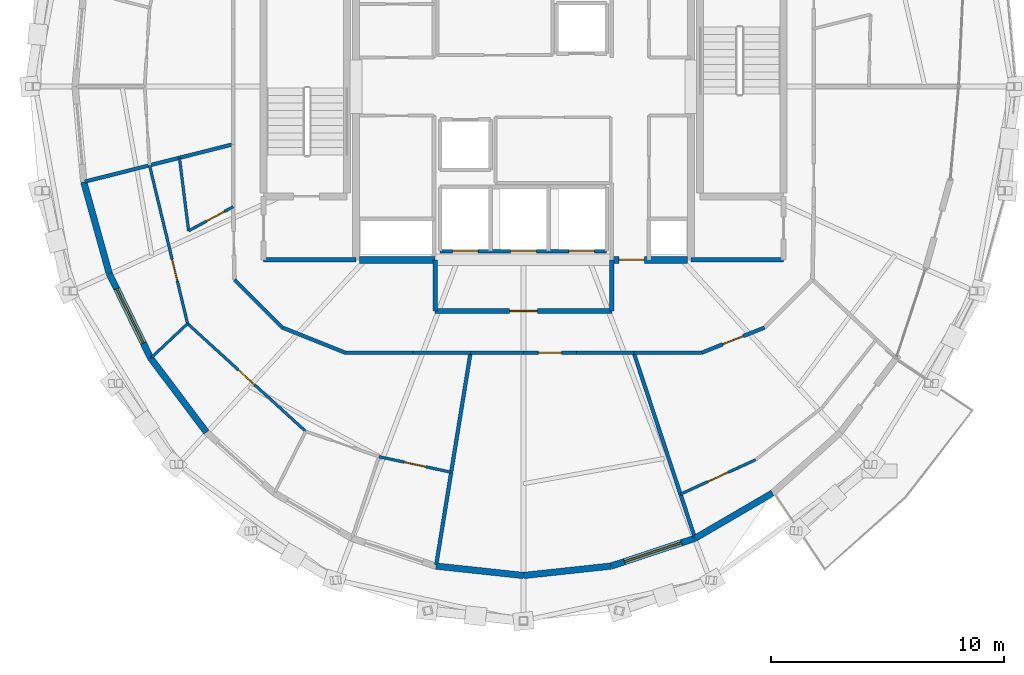
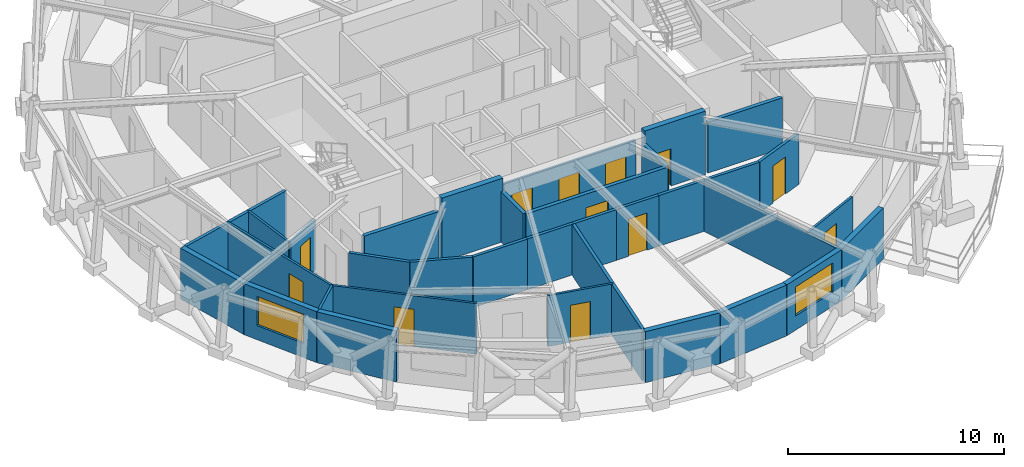
# One storey, part 7 of 12: 34 walls, 12 doors, 2 windows, 14 openings.
"""IFC4 building model written with IfcOpenShell, lengths in metres."""

from ifc_helpers import new_model, si_unit, direction, frame, frame_2d, origin, place, context, subcontext, project, spatial, rectangle, extrude, material, layer, layer_set, type_object, element, fill, save


model = new_model("IFC4")

# Units and contexts
model_context = context("Model", 3, precision=1e-05, world=origin(), true_north=direction((0.0, 1.0)))
body_context = subcontext(model_context, "Body", "Model", "MODEL_VIEW")
ifc_project = project(units=[si_unit("LENGTHUNIT", "METRE"), si_unit("AREAUNIT", "SQUARE_METRE"), si_unit("VOLUMEUNIT", "CUBIC_METRE"), si_unit("PLANEANGLEUNIT", "RADIAN"), si_unit("MASSUNIT", "GRAM", prefix="KILO")], contexts=[model_context])

# Site, building, storey
site_placement = place(None, origin())
site = spatial("IfcSite", under=ifc_project, at=site_placement, CompositionType="ELEMENT")
building_placement = place(site_placement, origin())
building = spatial("IfcBuilding", under=site, at=building_placement, Name="Veldorina Hangang Commons", CompositionType="ELEMENT")
storey_placement = place(building_placement, frame((0.0, 0.0, 272.39990234375)))
storey = spatial("IfcBuildingStorey", under=building, at=storey_placement, Name="L71", CompositionType="ELEMENT", Elevation=272.39990234375)

# Wall
ifc_material_1 = material(Name="Concrete C50/60", Category="concrete")
ifc_layer_1 = layer(ifc_material_1, 0.300048828125)
ifc_layer_set_1 = layer_set([ifc_layer_1], Name="Concrete C50/60")
wall_type_1 = type_object("IfcWallType", Name="CW-RC300-C50", PredefinedType="SHEAR", material=ifc_layer_set_1)
wall_1_placement = place(storey_placement, frame((24.949951171875, 16.550048828125, 0.0), z_axis=(0.0, 0.0, 1.0), x_axis=(1.0, 0.0, 0.0)))
element("IfcWall", 1, at=wall_1_placement, inside=storey, type_object=wall_type_1, Name="L71 south-west core shear wall", PredefinedType="SHEAR", context=body_context, shape_type="SweptSolid", body=[
    extrude(rectangle(XDim=3.25, YDim=0.300048828125, at=frame_2d((1.625, 0.0))), origin(), (0.0, 0.0, 1.0), 3.60009765625),
])

# Wall, opening, door
wall_2_placement = place(storey_placement, frame((35.800048828125, 16.550048828125, 0.0), z_axis=(0.0, 0.0, 1.0), x_axis=(1.0, 0.0, 0.0)))
wall_2 = element("IfcWall", 2, at=wall_2_placement, inside=storey, type_object=wall_type_1, Name="L71 south-east core shear wall", PredefinedType="SHEAR", context=body_context, shape_type="SweptSolid", body=[
    extrude(rectangle(XDim=3.25, YDim=0.300048828125, at=frame_2d((1.625, 0.0))), origin(), (0.0, 0.0, 1.0), 3.60009765625),
])
opening_1_placement = place(wall_2_placement, frame((0.300048828125, 0.0, 0.0)))
opening_1 = element("IfcOpeningElement", 3, at=opening_1_placement, cuts=wall_2, Name="Opening D-08", PredefinedType="OPENING", context=body_context, shape_type="SweptSolid", body=[
    extrude(rectangle(XDim=1.10009765625, YDim=2.10009765625, at=frame_2d((0.550048828125, 1.050048828125))), frame((0.0, 0.16015625, 0.0), z_axis=(0.0, -1.0, 0.0), x_axis=(1.0, 0.0, 0.0)), (0.0, 0.0, 1.0), 0.320068359375),
])
ifc_material_2 = material(Name="Steel Fire-Rated Smoke Seal", Category="steel")
door_type_1 = type_object("IfcDoorType", Name="DR-FIRE-1100", OperationType="SINGLE_SWING_RIGHT", PredefinedType="DOOR", material=ifc_material_2)
door_1_placement = place(opening_1_placement, origin())
door_1 = element("IfcDoor", 4, at=door_1_placement, inside=storey, type_object=door_type_1, Name="L71 central lift lobby south corridor door", OperationType="SINGLE_SWING_RIGHT", OverallHeight=2.10009765625, OverallWidth=1.10009765625, PredefinedType="DOOR", context=body_context, shape_type="SweptSolid", body=[
    extrude(rectangle(XDim=1.10009765625, YDim=2.10009765625, at=frame_2d((0.550048828125, 1.050048828125))), frame((0.0, 0.02490234375, 0.0), z_axis=(0.0, -1.0, 0.0), x_axis=(1.0, 0.0, 0.0)), (0.0, 0.0, 1.0), 0.050048828125),
])
fill(opening_1, door_1)

# Wall
ifc_material_3 = material(Name="Stone Roman Travertine", Category="masonry")
ifc_layer_2 = layer(ifc_material_3, 0.280029296875)
ifc_layer_set_2 = layer_set([ifc_layer_2], Name="Stone Roman Travertine")
wall_type_2 = type_object("IfcWallType", Name="EW-TRAV-280", PredefinedType="STANDARD", material=ifc_layer_set_2)
wall_3_placement = place(storey_placement, frame((13.093994140625, 19.898193359375, 0.0), z_axis=(0.0, 0.0, 1.0), x_axis=(0.26794835719, -0.963433276298, 0.0)))
element("IfcWall", 5, at=wall_3_placement, inside=storey, type_object=wall_type_2, Name="L71 travertine facade wall 17", PredefinedType="STANDARD", context=body_context, shape_type="SweptSolid", body=[
    extrude(rectangle(XDim=4.09375, YDim=0.280029296875, at=frame_2d((2.046875, 0.0))), origin(), (0.0, 0.0, 1.0), 2.880126953125),
])

# Wall, opening, window
wall_4_placement = place(storey_placement, frame((14.19091796875, 15.9541015625, 0.0), z_axis=(0.0, 0.0, 1.0), x_axis=(0.440082846758, -0.897957174919, 0.0)))
wall_4 = element("IfcWall", 6, at=wall_4_placement, inside=storey, type_object=wall_type_2, Name="L71 travertine facade wall 18", PredefinedType="STANDARD", context=body_context, shape_type="SweptSolid", body=[
    extrude(rectangle(XDim=4.048095703125, YDim=0.280029296875, at=frame_2d((2.02392578125, 0.0))), origin(), (0.0, 0.0, 1.0), 2.880126953125),
])
opening_2_placement = place(wall_4_placement, frame((0.72412109375, 0.0, 0.800048828125)))
opening_2 = element("IfcOpeningElement", 7, at=opening_2_placement, cuts=wall_4, Name="Opening W-02", PredefinedType="OPENING", context=body_context, shape_type="SweptSolid", body=[
    extrude(rectangle(XDim=2.60009765625, YDim=1.64990234375, at=frame_2d((1.300048828125, 0.824951171875))), frame((0.0, 0.14990234375, 0.0), z_axis=(0.0, -1.0, 0.0), x_axis=(1.0, 0.0, 0.0)), (0.0, 0.0, 1.0), 0.300048828125),
])
ifc_material_4 = material(Name="Glass Low-E Triple IGU", Category="glass")
window_type = type_object("IfcWindowType", Name="WIN-TWR-2600", PartitioningType="SINGLE_PANEL", PredefinedType="WINDOW", material=ifc_material_4)
window_1_placement = place(opening_2_placement, origin())
window_1 = element("IfcWindow", 8, at=window_1_placement, inside=storey, type_object=window_type, Name="L71 facade window 18", OverallHeight=1.64990234375, OverallWidth=2.60009765625, PartitioningType="SINGLE_PANEL", PredefinedType="WINDOW", context=body_context, shape_type="SweptSolid", body=[
    extrude(rectangle(XDim=2.60009765625, YDim=1.64990234375, at=frame_2d((1.300048828125, 0.824951171875))), frame((0.0, 0.030029296875, 0.0), z_axis=(0.0, -1.0, 0.0), x_axis=(1.0, 0.0, 0.0)), (0.0, 0.0, 1.0), 0.06005859375),
])
fill(opening_2, window_1)

# Walls
wall_5_placement = place(storey_placement, frame((15.972412109375, 12.319091796875, 0.0), z_axis=(0.0, 0.0, 1.0), x_axis=(0.601263134617, -0.799051089074, 0.0)))
element("IfcWall", 9, at=wall_5_placement, inside=storey, type_object=wall_type_2, Name="L71 travertine facade wall 19", PredefinedType="STANDARD", context=body_context, shape_type="SweptSolid", body=[
    extrude(rectangle(XDim=3.987060546875, YDim=0.280029296875, at=frame_2d((1.99365234375, 0.0))), origin(), (0.0, 0.0, 1.0), 2.880126953125),
])
for number, where, z_axis, x_axis, name in (
    (10, (28.239501953125, 3.379150390625, 0.0), (0.0, 0.0, 1.0), (0.994277118556, -0.106831697151, 0.0), "L71 travertine facade wall 23"),
    (11, (32.0, 2.97509765625, 0.0), (0.0, 0.0, 1.0), (0.994277118556, 0.106831697151, 0.0), "L71 travertine facade wall 24"),
):
    element("IfcWall", number, at=place(storey_placement, frame(where, z_axis=z_axis, x_axis=x_axis)), inside=storey, type_object=wall_type_2, Name=name, PredefinedType="STANDARD", context=body_context, shape_type="SweptSolid", body=[
        extrude(rectangle(XDim=3.7822265625, YDim=0.280029296875, at=frame_2d((1.89111328125, 0.0))), origin(), (0.0, 0.0, 1.0), 2.880126953125),
    ])

# Wall, opening, window
wall_6_placement = place(storey_placement, frame((35.760498046875, 3.379150390625, 0.0), z_axis=(0.0, 0.0, 1.0), x_axis=(0.949379621602, 0.314131077874, 0.0)))
wall_6 = element("IfcWall", 12, at=wall_6_placement, inside=storey, type_object=wall_type_2, Name="L71 travertine facade wall 25", PredefinedType="STANDARD", context=body_context, shape_type="SweptSolid", body=[
    extrude(rectangle(XDim=3.80908203125, YDim=0.280029296875, at=frame_2d((1.904541015625, 0.0))), origin(), (0.0, 0.0, 1.0), 2.880126953125),
])
opening_3_placement = place(wall_6_placement, frame((0.6044921875, 0.0, 0.800048828125)))
opening_3 = element("IfcOpeningElement", 13, at=opening_3_placement, cuts=wall_6, Name="Opening W-02", PredefinedType="OPENING", context=body_context, shape_type="SweptSolid", body=[
    extrude(rectangle(XDim=2.60009765625, YDim=1.64990234375, at=frame_2d((1.300048828125, 0.824951171875))), frame((0.0, 0.14990234375, 0.0), z_axis=(0.0, -1.0, 0.0), x_axis=(1.0, 0.0, 0.0)), (0.0, 0.0, 1.0), 0.300048828125),
])
window_2_placement = place(opening_3_placement, origin())
window_2 = element("IfcWindow", 14, at=window_2_placement, inside=storey, type_object=window_type, Name="L71 facade window 25", OverallHeight=1.64990234375, OverallWidth=2.60009765625, PartitioningType="SINGLE_PANEL", PredefinedType="WINDOW", context=body_context, shape_type="SweptSolid", body=[
    extrude(rectangle(XDim=2.60009765625, YDim=1.64990234375, at=frame_2d((1.300048828125, 0.824951171875))), frame((0.0, 0.030029296875, 0.0), z_axis=(0.0, -1.0, 0.0), x_axis=(1.0, 0.0, 0.0)), (0.0, 0.0, 1.0), 0.06005859375),
])
fill(opening_3, window_2)

# Wall
wall_7_placement = place(storey_placement, frame((39.376708984375, 4.57568359375, 0.0), z_axis=(0.0, 0.0, 1.0), x_axis=(0.863902830528, 0.503658514677, 0.0)))
element("IfcWall", 15, at=wall_7_placement, inside=storey, type_object=wall_type_2, Name="L71 travertine facade wall 26", PredefinedType="STANDARD", context=body_context, shape_type="SweptSolid", body=[
    extrude(rectangle(XDim=3.857421875, YDim=0.280029296875, at=frame_2d((1.9287109375, 0.0))), origin(), (0.0, 0.0, 1.0), 2.880126953125),
])

# Wall, openings, doors
ifc_material_5 = material(Name="Gypsum Fire-Rated Twin Stud Wall", Category="gypsum")
ifc_layer_3 = layer(ifc_material_5, 0.159912109375)
ifc_layer_set_3 = layer_set([ifc_layer_3], Name="Gypsum Fire-Rated Twin Stud Wall")
wall_type_3 = type_object("IfcWallType", Name="WL-FIRE-160", PredefinedType="SOLIDWALL", material=ifc_layer_set_3)
wall_8_placement = place(storey_placement, frame((28.419921875, 16.919921875, 0.0), z_axis=(0.0, 0.0, 1.0), x_axis=(1.0, 0.0, 0.0)))
wall_8 = element("IfcWall", 16, at=wall_8_placement, inside=storey, type_object=wall_type_3, Name="L71 Emergency front shaft wall 023", PredefinedType="SOLIDWALL", context=body_context, shape_type="SweptSolid", body=[
    extrude(rectangle(XDim=7.16015625, YDim=0.159912109375, at=frame_2d((3.580078125, 0.0))), origin(), (0.0, 0.0, 1.0), 2.8701171875),
])
opening_4_placement = place(wall_8_placement, frame((0.530029296875, 0.0, 0.0)))
opening_4 = element("IfcOpeningElement", 17, at=opening_4_placement, cuts=wall_8, Name="Opening LD-03", PredefinedType="OPENING", context=body_context, shape_type="SweptSolid", body=[
    extrude(rectangle(XDim=1.10009765625, YDim=2.14990234375, at=frame_2d((0.550048828125, 1.074951171875))), frame((0.0, 0.08984375, 0.0), z_axis=(0.0, -1.0, 0.0), x_axis=(1.0, 0.0, 0.0)), (0.0, 0.0, 1.0), 0.179931640625),
])
opening_5_placement = place(wall_8_placement, frame((3.030029296875, 0.0, 0.0)))
opening_5 = element("IfcOpeningElement", 18, at=opening_5_placement, cuts=wall_8, Name="Opening LD-03", PredefinedType="OPENING", context=body_context, shape_type="SweptSolid", body=[
    extrude(rectangle(XDim=1.10009765625, YDim=2.14990234375, at=frame_2d((0.550048828125, 1.074951171875))), frame((0.0, 0.08984375, 0.0), z_axis=(0.0, -1.0, 0.0), x_axis=(1.0, 0.0, 0.0)), (0.0, 0.0, 1.0), 0.179931640625),
])
opening_6_placement = place(wall_8_placement, frame((5.530029296875, 0.0, 0.0)))
opening_6 = element("IfcOpeningElement", 19, at=opening_6_placement, cuts=wall_8, Name="Opening LD-03", PredefinedType="OPENING", context=body_context, shape_type="SweptSolid", body=[
    extrude(rectangle(XDim=1.10009765625, YDim=2.14990234375, at=frame_2d((0.550048828125, 1.074951171875))), frame((0.0, 0.08984375, 0.0), z_axis=(0.0, -1.0, 0.0), x_axis=(1.0, 0.0, 0.0)), (0.0, 0.0, 1.0), 0.179931640625),
])
ifc_material_6 = material(Name="Stainless Steel Firefighting Lift Door", Category="steel")
door_type_2 = type_object("IfcDoorType", Name="DR-LIFT-FF1100", OperationType="SLIDING_TO_RIGHT", PredefinedType="DOOR", material=ifc_material_6)
door_2_placement = place(opening_4_placement, origin())
door_2 = element("IfcDoor", 20, at=door_2_placement, inside=storey, type_object=door_type_2, Name="L71 Emergency lift FFL-1 landing door 008", OperationType="SLIDING_TO_RIGHT", OverallHeight=2.14990234375, OverallWidth=1.10009765625, PredefinedType="DOOR", context=body_context, shape_type="SweptSolid", body=[
    extrude(rectangle(XDim=1.10009765625, YDim=2.14990234375, at=frame_2d((0.550048828125, 1.074951171875))), frame((0.0, 0.02490234375, 0.0), z_axis=(0.0, -1.0, 0.0), x_axis=(1.0, 0.0, 0.0)), (0.0, 0.0, 1.0), 0.050048828125),
])
fill(opening_4, door_2)
door_3_placement = place(opening_5_placement, origin())
door_3 = element("IfcDoor", 21, at=door_3_placement, inside=storey, type_object=door_type_2, Name="L71 Emergency lift FFL-2 landing door 009", OperationType="SLIDING_TO_RIGHT", OverallHeight=2.14990234375, OverallWidth=1.10009765625, PredefinedType="DOOR", context=body_context, shape_type="SweptSolid", body=[
    extrude(rectangle(XDim=1.10009765625, YDim=2.14990234375, at=frame_2d((0.550048828125, 1.074951171875))), frame((0.0, 0.02490234375, 0.0), z_axis=(0.0, -1.0, 0.0), x_axis=(1.0, 0.0, 0.0)), (0.0, 0.0, 1.0), 0.050048828125),
])
fill(opening_5, door_3)
door_4_placement = place(opening_6_placement, origin())
door_4 = element("IfcDoor", 22, at=door_4_placement, inside=storey, type_object=door_type_2, Name="L71 Emergency lift EVL-1 landing door 010", OperationType="SLIDING_TO_RIGHT", OverallHeight=2.14990234375, OverallWidth=1.10009765625, PredefinedType="DOOR", context=body_context, shape_type="SweptSolid", body=[
    extrude(rectangle(XDim=1.10009765625, YDim=2.14990234375, at=frame_2d((0.550048828125, 1.074951171875))), frame((0.0, 0.02490234375, 0.0), z_axis=(0.0, -1.0, 0.0), x_axis=(1.0, 0.0, 0.0)), (0.0, 0.0, 1.0), 0.050048828125),
])
fill(opening_6, door_4)

# Walls
wall_9_placement = place(storey_placement, frame((19.5732421875, 15.69677734375, 0.0), z_axis=(0.0, 0.0, 1.0), x_axis=(0.707106781187, -0.707106781187, 0.0)))
element("IfcWall", 23, at=wall_9_placement, inside=storey, type_object=wall_type_3, Name="L71 Compact collar outer wall 19 071", PredefinedType="SOLIDWALL", context=body_context, shape_type="SweptSolid", body=[
    extrude(rectangle(XDim=2.915771484375, YDim=0.159912109375, at=frame_2d((1.4580078125, 0.0))), origin(), (0.0, 0.0, 1.0), 2.8701171875),
])
wall_10_placement = place(storey_placement, frame((21.635009765625, 13.635009765625, 0.0), z_axis=(0.0, 0.0, 1.0), x_axis=(0.92856882165, -0.371160266542, 0.0)))
element("IfcWall", 24, at=wall_10_placement, inside=storey, type_object=wall_type_3, Name="L71 Compact collar outer wall 20 072", PredefinedType="SOLIDWALL", context=body_context, shape_type="SweptSolid", body=[
    extrude(rectangle(XDim=2.923095703125, YDim=0.159912109375, at=frame_2d((1.46142578125, 0.0))), origin(), (0.0, 0.0, 1.0), 2.8701171875),
])
wall_11_placement = place(storey_placement, frame((24.349365234375, 12.550048828125, 0.0), z_axis=(0.0, 0.0, 1.0), x_axis=(1.0, 0.0, 0.0)))
element("IfcWall", 25, at=wall_11_placement, inside=storey, type_object=wall_type_3, Name="L71 Compact collar outer wall 21 073", PredefinedType="SOLIDWALL", context=body_context, shape_type="SweptSolid", body=[
    extrude(rectangle(XDim=2.907958984375, YDim=0.159912109375, at=frame_2d((1.4541015625, 0.0))), origin(), (0.0, 0.0, 1.0), 2.8701171875),
])
wall_12_placement = place(storey_placement, frame((27.25732421875, 12.550048828125, 0.0), z_axis=(0.0, 0.0, 1.0), x_axis=(1.0, 0.0, 0.0)))
element("IfcWall", 26, at=wall_12_placement, inside=storey, type_object=wall_type_3, Name="L71 Compact collar outer wall 22 074", PredefinedType="SOLIDWALL", context=body_context, shape_type="SweptSolid", body=[
    extrude(rectangle(XDim=2.465087890625, YDim=0.159912109375, at=frame_2d((1.232421875, 0.0))), origin(), (0.0, 0.0, 1.0), 2.8701171875),
])
wall_13_placement = place(storey_placement, frame((29.722412109375, 12.550048828125, 0.0), z_axis=(0.0, 0.0, 1.0), x_axis=(1.0, 0.0, 0.0)))
element("IfcWall", 27, at=wall_13_placement, inside=storey, type_object=wall_type_3, Name="L71 Compact collar outer wall 23 075", PredefinedType="SOLIDWALL", context=body_context, shape_type="SweptSolid", body=[
    extrude(rectangle(XDim=2.277587890625, YDim=0.159912109375, at=frame_2d((1.138671875, 0.0))), origin(), (0.0, 0.0, 1.0), 2.8701171875),
])

# Wall, opening, door
wall_14_placement = place(storey_placement, frame((32.0, 12.550048828125, 0.0), z_axis=(0.0, 0.0, 1.0), x_axis=(1.0, 0.0, 0.0)))
wall_14 = element("IfcWall", 28, at=wall_14_placement, inside=storey, type_object=wall_type_3, Name="L71 Compact collar outer wall 24 076", PredefinedType="SOLIDWALL", context=body_context, shape_type="SweptSolid", body=[
    extrude(rectangle(XDim=2.277587890625, YDim=0.159912109375, at=frame_2d((1.138671875, 0.0))), origin(), (0.0, 0.0, 1.0), 2.8701171875),
])
opening_7_placement = place(wall_14_placement, frame((0.638671875, 0.0, 0.0)))
opening_7 = element("IfcOpeningElement", 29, at=opening_7_placement, cuts=wall_14, Name="Opening D-05", PredefinedType="OPENING", context=body_context, shape_type="SweptSolid", body=[
    extrude(rectangle(XDim=1.0, YDim=2.10009765625, at=frame_2d((0.5, 1.050048828125))), frame((0.0, 0.08984375, 0.0), z_axis=(0.0, -1.0, 0.0), x_axis=(1.0, 0.0, 0.0)), (0.0, 0.0, 1.0), 0.179931640625),
])
ifc_material_7 = material(Name="Timber Solid Core Acoustic", Category="wood")
door_type_3 = type_object("IfcDoorType", Name="DR-INT-1000", OperationType="SINGLE_SWING_RIGHT", PredefinedType="DOOR", material=ifc_material_7)
door_5_placement = place(opening_7_placement, origin())
door_5 = element("IfcDoor", 30, at=door_5_placement, inside=storey, type_object=door_type_3, Name="L71 Floor Study Room 7 door 043", OperationType="SINGLE_SWING_LEFT", OverallHeight=2.10009765625, OverallWidth=1.0, PredefinedType="DOOR", context=body_context, shape_type="SweptSolid", body=[
    extrude(rectangle(XDim=1.0, YDim=2.10009765625, at=frame_2d((0.5, 1.050048828125))), frame((0.0, 0.02490234375, 0.0), z_axis=(0.0, -1.0, 0.0), x_axis=(1.0, 0.0, 0.0)), (0.0, 0.0, 1.0), 0.050048828125),
])
fill(opening_7, door_5)

# Walls
wall_15_placement = place(storey_placement, frame((34.277587890625, 12.550048828125, 0.0), z_axis=(0.0, 0.0, 1.0), x_axis=(1.0, 0.0, 0.0)))
element("IfcWall", 31, at=wall_15_placement, inside=storey, type_object=wall_type_3, Name="L71 Compact collar outer wall 25 077", PredefinedType="SOLIDWALL", context=body_context, shape_type="SweptSolid", body=[
    extrude(rectangle(XDim=2.465087890625, YDim=0.159912109375, at=frame_2d((1.232421875, 0.0))), origin(), (0.0, 0.0, 1.0), 2.8701171875),
])
wall_16_placement = place(storey_placement, frame((36.74267578125, 12.550048828125, 0.0), z_axis=(0.0, 0.0, 1.0), x_axis=(1.0, 0.0, 0.0)))
element("IfcWall", 32, at=wall_16_placement, inside=storey, type_object=wall_type_3, Name="L71 Compact collar outer wall 26 078", PredefinedType="SOLIDWALL", context=body_context, shape_type="SweptSolid", body=[
    extrude(rectangle(XDim=2.907958984375, YDim=0.159912109375, at=frame_2d((1.4541015625, 0.0))), origin(), (0.0, 0.0, 1.0), 2.8701171875),
])

# Wall, opening, door
wall_17_placement = place(storey_placement, frame((39.650634765625, 12.550048828125, 0.0), z_axis=(0.0, 0.0, 1.0), x_axis=(0.92856882165, 0.371160266542, 0.0)))
wall_17 = element("IfcWall", 33, at=wall_17_placement, inside=storey, type_object=wall_type_3, Name="L71 Compact collar outer wall 27 079", PredefinedType="SOLIDWALL", context=body_context, shape_type="SweptSolid", body=[
    extrude(rectangle(XDim=2.923095703125, YDim=0.159912109375, at=frame_2d((1.46142578125, 0.0))), origin(), (0.0, 0.0, 1.0), 2.8701171875),
])
opening_8_placement = place(wall_17_placement, frame((0.986572265625, 0.0, 0.0)))
opening_8 = element("IfcOpeningElement", 34, at=opening_8_placement, cuts=wall_17, Name="Opening D-02", PredefinedType="OPENING", context=body_context, shape_type="SweptSolid", body=[
    extrude(rectangle(XDim=0.949951171875, YDim=2.10009765625, at=frame_2d((0.47509765625, 1.050048828125))), frame((0.0, 0.08984375, 0.0), z_axis=(0.0, -1.0, 0.0), x_axis=(1.0, 0.0, 0.0)), (0.0, 0.0, 1.0), 0.179931640625),
])
door_type_4 = type_object("IfcDoorType", Name="DR-INT-950", OperationType="SINGLE_SWING_LEFT", PredefinedType="DOOR", material=ifc_material_7)
door_6_placement = place(opening_8_placement, origin())
door_6 = element("IfcDoor", 35, at=door_6_placement, inside=storey, type_object=door_type_4, Name="L71 Linen drying store door 044", OperationType="SINGLE_SWING_RIGHT", OverallHeight=2.10009765625, OverallWidth=0.949951171875, PredefinedType="DOOR", context=body_context, shape_type="SweptSolid", body=[
    extrude(rectangle(XDim=0.949951171875, YDim=2.10009765625, at=frame_2d((0.47509765625, 1.050048828125))), frame((0.0, 0.02490234375, 0.0), z_axis=(0.0, -1.0, 0.0), x_axis=(1.0, 0.0, 0.0)), (0.0, 0.0, 1.0), 0.050048828125),
])
fill(opening_8, door_6)

# Walls
wall_18_placement = place(storey_placement, frame((19.52001953125, 21.517578125, 0.0), z_axis=(0.0, 0.0, 1.0), x_axis=(-0.969682209124, -0.244369419748, 0.0)))
element("IfcWall", 36, at=wall_18_placement, inside=storey, type_object=wall_type_3, Name="L71 Unit party wall 17 111", PredefinedType="SOLIDWALL", context=body_context, shape_type="SweptSolid", body=[
    extrude(rectangle(XDim=6.576904296875, YDim=0.159912109375, at=frame_2d((3.28857421875, 0.0))), origin(), (0.0, 0.0, 1.0), 2.8701171875),
])
wall_19_placement = place(storey_placement, frame((29.722412109375, 12.550048828125, 0.0), z_axis=(0.0, 0.0, 1.0), x_axis=(-0.159645297991, -0.987174441945, 0.0)))
element("IfcWall", 37, at=wall_19_placement, inside=storey, type_object=wall_type_3, Name="L71 Unit party wall 23 121", PredefinedType="SOLIDWALL", context=body_context, shape_type="SweptSolid", body=[
    extrude(rectangle(XDim=9.23974609375, YDim=0.159912109375, at=frame_2d((4.619873046875, 0.0))), origin(), (0.0, 0.0, 1.0), 2.8701171875),
])
wall_20_placement = place(storey_placement, frame((36.74267578125, 12.550048828125, 0.0), z_axis=(0.0, 0.0, 1.0), x_axis=(0.313647232527, -0.949539579759, 0.0)))
element("IfcWall", 38, at=wall_20_placement, inside=storey, type_object=wall_type_3, Name="L71 Unit party wall 26 122", PredefinedType="SOLIDWALL", context=body_context, shape_type="SweptSolid", body=[
    extrude(rectangle(XDim=8.34814453125, YDim=0.159912109375, at=frame_2d((4.174072265625, 0.0))), origin(), (0.0, 0.0, 1.0), 2.8701171875),
])
ifc_material_8 = material(Name="Concrete Blockwork Fire Wall C30/37", Category="masonry")
ifc_layer_4 = layer(ifc_material_8, 0.199951171875)
ifc_layer_set_4 = layer_set([ifc_layer_4], Name="Concrete Blockwork Fire Wall C30/37")
wall_type_4 = type_object("IfcWallType", Name="WL-FIRE-200", PredefinedType="SOLIDWALL", material=ifc_layer_set_4)
for number, where, z_axis, x_axis, name in (
    (39, (20.820068359375, 16.550048828125, 0.0), (0.0, 0.0, 1.0), (1.0, 0.0, 0.0), "L71 West vestibule south wall 002"),
    (40, (39.199951171875, 16.550048828125, 0.0), (0.0, 0.0, 1.0), (1.0, 0.0, 0.0), "L71 SE core room south wall 008"),
):
    element("IfcWall", number, at=place(storey_placement, frame(where, z_axis=z_axis, x_axis=x_axis)), inside=storey, type_object=wall_type_4, Name=name, PredefinedType="SOLIDWALL", context=body_context, shape_type="SweptSolid", body=[
        extrude(rectangle(XDim=3.97998046875, YDim=0.199951171875, at=frame_2d((1.989990234375, 0.0))), origin(), (0.0, 0.0, 1.0), 2.8701171875),
    ])
for number, where, z_axis, x_axis, name in (
    (41, (28.199951171875, 14.35009765625, 0.0), (0.0, 0.0, 1.0), (0.0, 1.0, 0.0), "L71 FF lobby west wall 012"),
    (42, (35.800048828125, 14.35009765625, 0.0), (0.0, 0.0, 1.0), (0.0, 1.0, 0.0), "L71 FF lobby east wall 013"),
):
    element("IfcWall", number, at=place(storey_placement, frame(where, z_axis=z_axis, x_axis=x_axis)), inside=storey, type_object=wall_type_4, Name=name, PredefinedType="SOLIDWALL", context=body_context, shape_type="SweptSolid", body=[
        extrude(rectangle(XDim=2.199951171875, YDim=0.199951171875, at=frame_2d((1.10009765625, 0.0))), origin(), (0.0, 0.0, 1.0), 2.8701171875),
    ])

# Wall, opening, door
wall_21_placement = place(storey_placement, frame((28.199951171875, 14.35009765625, 0.0), z_axis=(0.0, 0.0, 1.0), x_axis=(1.0, 0.0, 0.0)))
wall_21 = element("IfcWall", 43, at=wall_21_placement, inside=storey, type_object=wall_type_4, Name="L71 FF lobby south wall 014", PredefinedType="SOLIDWALL", context=body_context, shape_type="SweptSolid", body=[
    extrude(rectangle(XDim=7.60009765625, YDim=0.199951171875, at=frame_2d((3.800048828125, 0.0))), origin(), (0.0, 0.0, 1.0), 2.8701171875),
])
opening_9_placement = place(wall_21_placement, frame((3.199951171875, 0.0, 0.0)))
opening_9 = element("IfcOpeningElement", 44, at=opening_9_placement, cuts=wall_21, Name="Opening D-09", PredefinedType="OPENING", context=body_context, shape_type="SweptSolid", body=[
    extrude(rectangle(XDim=1.199951171875, YDim=2.10009765625, at=frame_2d((0.60009765625, 1.050048828125))), frame((0.0, 0.10986328125, 0.0), z_axis=(0.0, -1.0, 0.0), x_axis=(1.0, 0.0, 0.0)), (0.0, 0.0, 1.0), 0.219970703125),
])
ifc_material_9 = material(Name="Steel Fire-Rated Corridor Door", Category="steel")
door_type_5 = type_object("IfcDoorType", Name="DR-FIRE-1200", OperationType="SINGLE_SWING_LEFT", PredefinedType="DOOR", material=ifc_material_9)
door_7_placement = place(opening_9_placement, origin())
door_7 = element("IfcDoor", 45, at=door_7_placement, inside=storey, type_object=door_type_5, Name="L71 FF lobby south corridor door 005", OperationType="SINGLE_SWING_LEFT", OverallHeight=2.10009765625, OverallWidth=1.199951171875, PredefinedType="DOOR", context=body_context, shape_type="SweptSolid", body=[
    extrude(rectangle(XDim=1.199951171875, YDim=2.10009765625, at=frame_2d((0.60009765625, 1.050048828125))), frame((0.0, 0.02490234375, 0.0), z_axis=(0.0, -1.0, 0.0), x_axis=(1.0, 0.0, 0.0)), (0.0, 0.0, 1.0), 0.050048828125),
])
fill(opening_9, door_7)

# Wall
ifc_material_10 = material(Name="Gypsum Acoustic Stud Partition", Category="gypsum")
ifc_layer_5 = layer(ifc_material_10, 0.1201171875)
ifc_layer_set_5 = layer_set([ifc_layer_5], Name="Gypsum Acoustic Stud Partition")
wall_type_5 = type_object("IfcWallType", Name="WL-PART-120", PredefinedType="PARTITIONING", material=ifc_layer_set_5)
wall_22_placement = place(storey_placement, frame((17.206787109375, 20.934814453125, 0.0), z_axis=(0.0, 0.0, 1.0), x_axis=(0.12475637895, -0.992187404633, 0.0)))
element("IfcWall", 46, at=wall_22_placement, inside=storey, type_object=wall_type_5, Name="L71 Cluster 6 bath front wall 112", PredefinedType="PARTITIONING", context=body_context, shape_type="SweptSolid", body=[
    extrude(rectangle(XDim=3.164306640625, YDim=0.1201171875, at=frame_2d((1.58203125, 0.0))), origin(), (0.0, 0.0, 1.0), 2.8701171875),
])

# Wall, opening, door
wall_23_placement = place(storey_placement, frame((19.52001953125, 18.83056640625, 0.0), z_axis=(0.0, 0.0, 1.0), x_axis=(-0.880014000033, -0.474947744227, 0.0)))
wall_23 = element("IfcWall", 47, at=wall_23_placement, inside=storey, type_object=wall_type_5, Name="L71 Cluster 6 bath side wall 113", PredefinedType="PARTITIONING", context=body_context, shape_type="SweptSolid", body=[
    extrude(rectangle(XDim=2.179931640625, YDim=0.1201171875, at=frame_2d((1.08984375, 0.0))), origin(), (0.0, 0.0, 1.0), 2.8701171875),
])
opening_10_placement = place(wall_23_placement, frame((0.43994140625, 0.0, 0.0)))
opening_10 = element("IfcOpeningElement", 48, at=opening_10_placement, cuts=wall_23, Name="Opening D-01", PredefinedType="OPENING", context=body_context, shape_type="SweptSolid", body=[
    extrude(rectangle(XDim=0.860107421875, YDim=2.10009765625, at=frame_2d((0.43017578125, 1.050048828125))), frame((0.0, 0.070068359375, 0.0), z_axis=(0.0, -1.0, 0.0), x_axis=(1.0, 0.0, 0.0)), (0.0, 0.0, 1.0), 0.14013671875),
])
ifc_material_11 = material(Name="Timber Moisture-Resistant Core", Category="wood")
door_type_6 = type_object("IfcDoorType", Name="DR-WET-860", OperationType="SINGLE_SWING_LEFT", PredefinedType="DOOR", material=ifc_material_11)
door_8_placement = place(opening_10_placement, origin())
door_8 = element("IfcDoor", 49, at=door_8_placement, inside=storey, type_object=door_type_6, Name="L71 Cluster 6 shared bathroom door 037", OperationType="SINGLE_SWING_LEFT", OverallHeight=2.10009765625, OverallWidth=0.860107421875, PredefinedType="DOOR", context=body_context, shape_type="SweptSolid", body=[
    extrude(rectangle(XDim=0.860107421875, YDim=2.10009765625, at=frame_2d((0.43017578125, 1.050048828125))), frame((0.0, 0.02490234375, 0.0), z_axis=(0.0, -1.0, 0.0), x_axis=(1.0, 0.0, 0.0)), (0.0, 0.0, 1.0), 0.050048828125),
])
fill(opening_10, door_8)

wall_24_placement = place(storey_placement, frame((15.92138671875, 20.61083984375, 0.0), z_axis=(0.0, 0.0, 1.0), x_axis=(0.23363679847, -0.972323941082, 0.0)))
wall_24 = element("IfcWall", 50, at=wall_24_placement, inside=storey, type_object=wall_type_5, Name="L71 Cluster 6 bed 1 front wall 114", PredefinedType="PARTITIONING", context=body_context, shape_type="SweptSolid", body=[
    extrude(rectangle(XDim=6.9990234375, YDim=0.1201171875, at=frame_2d((3.49951171875, 0.0))), origin(), (0.0, 0.0, 1.0), 2.8701171875),
])
opening_11_placement = place(wall_24_placement, frame((4.161865234375, 0.0, 0.0)))
opening_11 = element("IfcOpeningElement", 51, at=opening_11_placement, cuts=wall_24, Name="Opening D-02", PredefinedType="OPENING", context=body_context, shape_type="SweptSolid", body=[
    extrude(rectangle(XDim=0.949951171875, YDim=2.10009765625, at=frame_2d((0.47509765625, 1.050048828125))), frame((0.0, 0.070068359375, 0.0), z_axis=(0.0, -1.0, 0.0), x_axis=(1.0, 0.0, 0.0)), (0.0, 0.0, 1.0), 0.14013671875),
])
door_9_placement = place(opening_11_placement, origin())
door_9 = element("IfcDoor", 52, at=door_9_placement, inside=storey, type_object=door_type_4, Name="L71 Cluster 6 bed 1 door 039", OperationType="SINGLE_SWING_LEFT", OverallHeight=2.10009765625, OverallWidth=0.949951171875, PredefinedType="DOOR", context=body_context, shape_type="SweptSolid", body=[
    extrude(rectangle(XDim=0.949951171875, YDim=2.10009765625, at=frame_2d((0.47509765625, 1.050048828125))), frame((0.0, 0.02490234375, 0.0), z_axis=(0.0, -1.0, 0.0), x_axis=(1.0, 0.0, 0.0)), (0.0, 0.0, 1.0), 0.050048828125),
])
fill(opening_11, door_9)

wall_25_placement = place(storey_placement, frame((17.556640625, 13.805419921875, 0.0), z_axis=(0.0, 0.0, 1.0), x_axis=(0.738851318613, -0.673868480479, 0.0)))
wall_25 = element("IfcWall", 53, at=wall_25_placement, inside=storey, type_object=wall_type_5, Name="L71 Cluster 6 bed 2 front wall 115", PredefinedType="PARTITIONING", context=body_context, shape_type="SweptSolid", body=[
    extrude(rectangle(XDim=6.875244140625, YDim=0.1201171875, at=frame_2d((3.4375, 0.0))), origin(), (0.0, 0.0, 1.0), 2.8701171875),
])
opening_12_placement = place(wall_25_placement, frame((2.962646484375, 0.0, 0.0)))
opening_12 = element("IfcOpeningElement", 54, at=opening_12_placement, cuts=wall_25, Name="Opening D-02", PredefinedType="OPENING", context=body_context, shape_type="SweptSolid", body=[
    extrude(rectangle(XDim=0.949951171875, YDim=2.10009765625, at=frame_2d((0.47509765625, 1.050048828125))), frame((0.0, 0.070068359375, 0.0), z_axis=(0.0, -1.0, 0.0), x_axis=(1.0, 0.0, 0.0)), (0.0, 0.0, 1.0), 0.14013671875),
])
door_10_placement = place(opening_12_placement, origin())
door_10 = element("IfcDoor", 55, at=door_10_placement, inside=storey, type_object=door_type_4, Name="L71 Cluster 6 bed 2 door 040", OperationType="SINGLE_SWING_RIGHT", OverallHeight=2.10009765625, OverallWidth=0.949951171875, PredefinedType="DOOR", context=body_context, shape_type="SweptSolid", body=[
    extrude(rectangle(XDim=0.949951171875, YDim=2.10009765625, at=frame_2d((0.47509765625, 1.050048828125))), frame((0.0, 0.02490234375, 0.0), z_axis=(0.0, -1.0, 0.0), x_axis=(1.0, 0.0, 0.0)), (0.0, 0.0, 1.0), 0.050048828125),
])
fill(opening_12, door_10)

# Wall
wall_26_placement = place(storey_placement, frame((17.556640625, 13.805419921875, 0.0), z_axis=(0.0, 0.0, 1.0), x_axis=(-0.729350626412, -0.684140090737, 0.0)))
element("IfcWall", 56, at=wall_26_placement, inside=storey, type_object=wall_type_5, Name="L71 Cluster 6 bed divider 1 116", PredefinedType="PARTITIONING", context=body_context, shape_type="SweptSolid", body=[
    extrude(rectangle(XDim=2.122314453125, YDim=0.1201171875, at=frame_2d((1.06103515625, 0.0))), origin(), (0.0, 0.0, 1.0), 2.8701171875),
])

# Wall, opening, door
wall_27_placement = place(storey_placement, frame((25.7822265625, 8.084228515625, 0.0), z_axis=(0.0, 0.0, 1.0), x_axis=(0.977574975878, -0.210587669478, 0.0)))
wall_27 = element("IfcWall", 57, at=wall_27_placement, inside=storey, type_object=wall_type_5, Name="L71 Cluster 6 bed 4 front wall 119", PredefinedType="PARTITIONING", context=body_context, shape_type="SweptSolid", body=[
    extrude(rectangle(XDim=3.18115234375, YDim=0.1201171875, at=frame_2d((1.590576171875, 0.0))), origin(), (0.0, 0.0, 1.0), 2.8701171875),
])
opening_13_placement = place(wall_27_placement, frame((1.115478515625, 0.0, 0.0)))
opening_13 = element("IfcOpeningElement", 58, at=opening_13_placement, cuts=wall_27, Name="Opening D-02", PredefinedType="OPENING", context=body_context, shape_type="SweptSolid", body=[
    extrude(rectangle(XDim=0.949951171875, YDim=2.10009765625, at=frame_2d((0.47509765625, 1.050048828125))), frame((0.0, 0.070068359375, 0.0), z_axis=(0.0, -1.0, 0.0), x_axis=(1.0, 0.0, 0.0)), (0.0, 0.0, 1.0), 0.14013671875),
])
door_11_placement = place(opening_13_placement, origin())
door_11 = element("IfcDoor", 59, at=door_11_placement, inside=storey, type_object=door_type_4, Name="L71 Cluster 6 bed 4 door 042", OperationType="SINGLE_SWING_RIGHT", OverallHeight=2.10009765625, OverallWidth=0.949951171875, PredefinedType="DOOR", context=body_context, shape_type="SweptSolid", body=[
    extrude(rectangle(XDim=0.949951171875, YDim=2.10009765625, at=frame_2d((0.47509765625, 1.050048828125))), frame((0.0, 0.02490234375, 0.0), z_axis=(0.0, -1.0, 0.0), x_axis=(1.0, 0.0, 0.0)), (0.0, 0.0, 1.0), 0.050048828125),
])
fill(opening_13, door_11)

wall_28_placement = place(storey_placement, frame((38.75048828125, 6.47119140625, 0.0), z_axis=(0.0, 0.0, 1.0), x_axis=(0.909063739052, 0.416657075231, 0.0)))
wall_28 = element("IfcWall", 60, at=wall_28_placement, inside=storey, type_object=wall_type_5, Name="L71 Laundry split 0 123", PredefinedType="PARTITIONING", context=body_context, shape_type="SweptSolid", body=[
    extrude(rectangle(XDim=3.554931640625, YDim=0.1201171875, at=frame_2d((1.77734375, 0.0))), origin(), (0.0, 0.0, 1.0), 2.8701171875),
])
opening_14_placement = place(wall_28_placement, frame((1.302490234375, 0.0, 0.0)))
opening_14 = element("IfcOpeningElement", 61, at=opening_14_placement, cuts=wall_28, Name="Opening D-02", PredefinedType="OPENING", context=body_context, shape_type="SweptSolid", body=[
    extrude(rectangle(XDim=0.949951171875, YDim=2.10009765625, at=frame_2d((0.47509765625, 1.050048828125))), frame((0.0, 0.070068359375, 0.0), z_axis=(0.0, -1.0, 0.0), x_axis=(1.0, 0.0, 0.0)), (0.0, 0.0, 1.0), 0.14013671875),
])
door_12_placement = place(opening_14_placement, origin())
door_12 = element("IfcDoor", 62, at=door_12_placement, inside=storey, type_object=door_type_4, Name="L71 Resident laundry inner door 045", OperationType="SINGLE_SWING_LEFT", OverallHeight=2.10009765625, OverallWidth=0.949951171875, PredefinedType="DOOR", context=body_context, shape_type="SweptSolid", body=[
    extrude(rectangle(XDim=0.949951171875, YDim=2.10009765625, at=frame_2d((0.47509765625, 1.050048828125))), frame((0.0, 0.02490234375, 0.0), z_axis=(0.0, -1.0, 0.0), x_axis=(1.0, 0.0, 0.0)), (0.0, 0.0, 1.0), 0.050048828125),
])
fill(opening_14, door_12)

save(model, "model.ifc")
